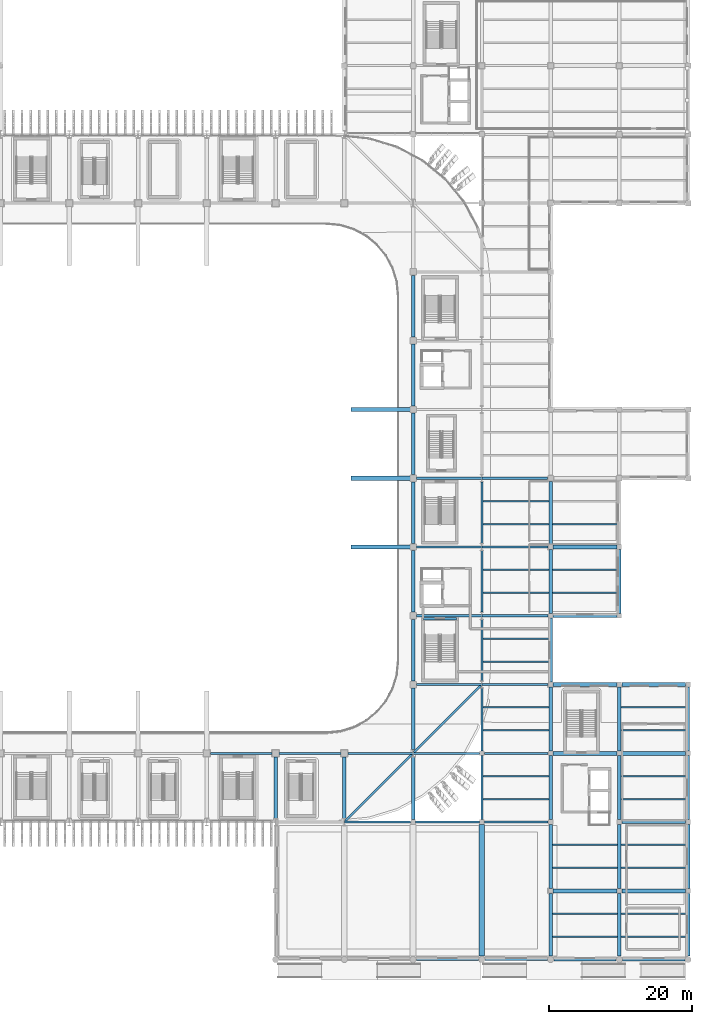
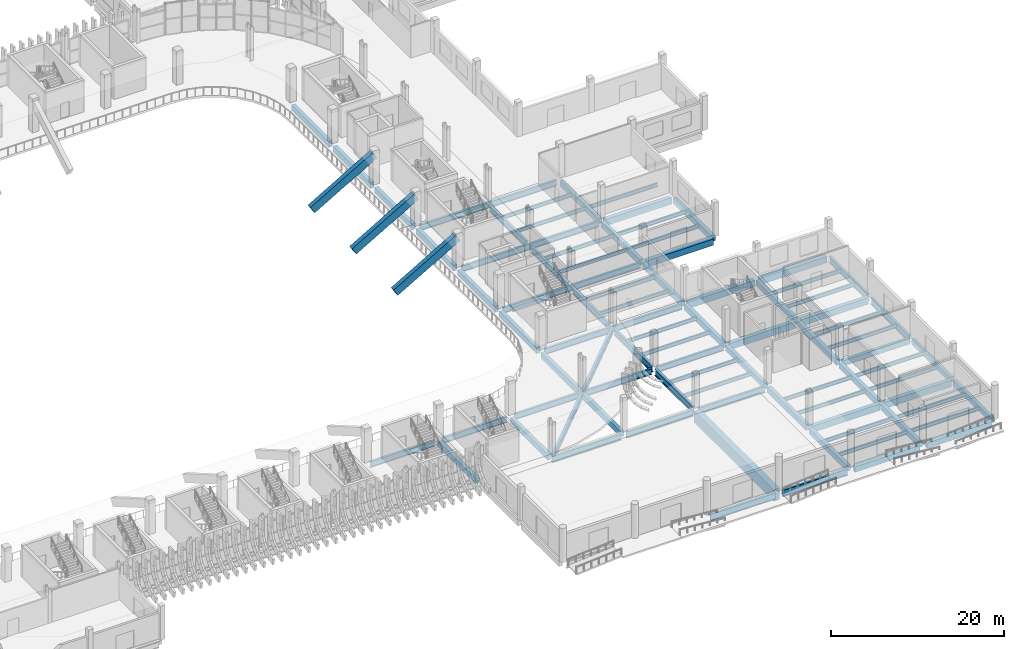
# One storey, part 32 of 100: 92 beams.
"""IFC4 building model written with IfcOpenShell, lengths in metres."""

from ifc_helpers import new_model, si_unit, direction, frame, origin, origin_2d, place, context, subcontext, project, spatial, rectangle, i_section, extrude, material, material_profile, profile_set, type_object, element, save


model = new_model("IFC4")

# Units and contexts
model_context = context("Model", 3, precision=1e-05, world=origin(), true_north=direction((0.0, 1.0)))
body_context = subcontext(model_context, "Body", "Model", "MODEL_VIEW")
ifc_project = project(units=[si_unit("LENGTHUNIT", "METRE"), si_unit("AREAUNIT", "SQUARE_METRE"), si_unit("VOLUMEUNIT", "CUBIC_METRE"), si_unit("PLANEANGLEUNIT", "RADIAN"), si_unit("MASSUNIT", "GRAM", prefix="KILO")], contexts=[model_context])

# Site, building, storey
site_placement = place(None, origin())
site = spatial("IfcSite", under=ifc_project, at=site_placement, CompositionType="ELEMENT")
building_placement = place(site_placement, origin())
building = spatial("IfcBuilding", under=site, at=building_placement, Name="Caelomonte Colonnade Arena", CompositionType="ELEMENT")
storey_placement = place(building_placement, origin())
storey = spatial("IfcBuildingStorey", under=building, at=storey_placement, Name="L00", CompositionType="ELEMENT", Elevation=0.0)

# Beams
ifc_material_1 = material(Name="Wide-flange steel ASTM A992 Grade 50", Category="steel")
ifc_material_profile_1 = material_profile(ifc_material_1, i_section(OverallWidth=0.307861328125, OverallDepth=0.927001953125, WebThickness=0.019287109375, FlangeThickness=0.031982421875, FilletRadius=0.020263671875, at=origin_2d()), Name="W36X194")
ifc_profile_set_1 = profile_set([ifc_material_profile_1], Name="Wide-flange steel ASTM A992 Grade 50")
beam_type_1 = type_object("IfcBeamType", Name="STR-BM-EAVES2", PredefinedType="SPANDREL", material=ifc_profile_set_1)
for number, where, z_axis, x_axis, name in (
    (1, (154.06689453125, 0.0, -0.763427734375), (1.0, 0.0, 0.0), (0.0, 1.0, 0.0), "L00 girder BMX-L00-1536-0000"),
    (2, (163.6669921875, 0.0, -0.763427734375), (1.0, 0.0, 0.0), (0.0, 1.0, 0.0), "L00 girder BMX-L00-1632-0000"),
):
    element("IfcBeam", number, at=place(storey_placement, frame(where, z_axis=z_axis, x_axis=x_axis)), inside=storey, type_object=beam_type_1, Name=name, PredefinedType="SPANDREL", context=body_context, shape_type="SweptSolid", body=[
        extrude(i_section(OverallWidth=0.307861328125, OverallDepth=0.927001953125, WebThickness=0.019287109375, FlangeThickness=0.031982421875, FilletRadius=0.020263671875, at=origin_2d()), origin(), (0.0, 0.0, 1.0), 8.666015625),
    ])
beam_1_placement = place(storey_placement, frame((144.015380859375, 19.199951171875, -0.763427734375), z_axis=(1.0, 0.0, 0.0), x_axis=(0.0, 1.0, 0.0)))
element("IfcBeam", 3, at=beam_1_placement, inside=storey, type_object=beam_type_1, Name="L00 girder BMX-L00-1440-0192", PredefinedType="SPANDREL", context=body_context, shape_type="SweptSolid", body=[
    extrude(i_section(OverallWidth=0.307861328125, OverallDepth=0.927001953125, WebThickness=0.019287109375, FlangeThickness=0.031982421875, FilletRadius=0.020263671875, at=origin_2d()), origin(), (0.0, 0.0, 1.0), 9.24267578125),
])
for number, where, z_axis, x_axis, name in (
    (4, (153.94189453125, 19.199951171875, -0.763427734375), (1.0, 0.0, 0.0), (0.0, 1.0, 0.0), "L00 girder BMX-L00-1536-0192"),
    (5, (163.5419921875, 19.199951171875, -0.763427734375), (1.0, 0.0, 0.0), (0.0, 1.0, 0.0), "L00 girder BMX-L00-1632-0192"),
    (6, (163.199951171875, 19.5419921875, -0.763427734375), (0.0, 1.0, 0.0), (-1.0, 0.0, 0.0), "L00 girder BMY-L00-1632-0192"),
):
    element("IfcBeam", number, at=place(storey_placement, frame(where, z_axis=z_axis, x_axis=x_axis)), inside=storey, type_object=beam_type_1, Name=name, PredefinedType="SPANDREL", context=body_context, shape_type="SweptSolid", body=[
        extrude(i_section(OverallWidth=0.307861328125, OverallDepth=0.927001953125, WebThickness=0.019287109375, FlangeThickness=0.031982421875, FilletRadius=0.020263671875, at=origin_2d()), origin(), (0.0, 0.0, 1.0), 8.916015625),
    ])
beam_2_placement = place(storey_placement, frame((163.199951171875, 29.14208984375, -0.763427734375), z_axis=(0.0, 1.0, 0.0), x_axis=(-1.0, 0.0, 0.0)))
element("IfcBeam", 7, at=beam_2_placement, inside=storey, type_object=beam_type_1, Name="L00 girder BMY-L00-1632-0288", PredefinedType="SPANDREL", context=body_context, shape_type="SweptSolid", body=[
    extrude(i_section(OverallWidth=0.307861328125, OverallDepth=0.927001953125, WebThickness=0.019287109375, FlangeThickness=0.031982421875, FilletRadius=0.020263671875, at=origin_2d()), origin(), (0.0, 0.0, 1.0), 8.7451171875),
])
for number, where, z_axis, x_axis, name in (
    (8, (163.199951171875, 38.91259765625, -0.763427734375), (0.0, 1.0, 0.0), (-1.0, 0.0, 0.0), "L00 girder BMY-L00-1632-0384"),
    (9, (163.199951171875, 48.5126953125, -0.763427734375), (0.0, 1.0, 0.0), (-1.0, 0.0, 0.0), "L00 girder BMY-L00-1632-0480"),
):
    element("IfcBeam", number, at=place(storey_placement, frame(where, z_axis=z_axis, x_axis=x_axis)), inside=storey, type_object=beam_type_1, Name=name, PredefinedType="SPANDREL", context=body_context, shape_type="SweptSolid", body=[
        extrude(i_section(OverallWidth=0.307861328125, OverallDepth=0.927001953125, WebThickness=0.019287109375, FlangeThickness=0.031982421875, FilletRadius=0.020263671875, at=origin_2d()), origin(), (0.0, 0.0, 1.0), 8.57470703125),
    ])
beam_3_placement = place(storey_placement, frame((163.199951171875, 58.11279296875, -0.763427734375), z_axis=(0.0, 1.0, 0.0), x_axis=(-1.0, 0.0, 0.0)))
element("IfcBeam", 10, at=beam_3_placement, inside=storey, type_object=beam_type_1, Name="L00 girder BMY-L00-1632-0576", PredefinedType="SPANDREL", context=body_context, shape_type="SweptSolid", body=[
    extrude(i_section(OverallWidth=0.307861328125, OverallDepth=0.927001953125, WebThickness=0.019287109375, FlangeThickness=0.031982421875, FilletRadius=0.020263671875, at=origin_2d()), origin(), (0.0, 0.0, 1.0), 8.574462890625),
])
for number, where, z_axis, x_axis, name in (
    (11, (192.0, 19.5419921875, -0.763427734375), (0.0, 1.0, 0.0), (-1.0, 0.0, 0.0), "L00 girder BMY-L00-1920-0192"),
    (12, (192.0, 29.14208984375, -0.763427734375), (0.0, 1.0, 0.0), (-1.0, 0.0, 0.0), "L00 girder BMY-L00-1920-0288"),
):
    element("IfcBeam", number, at=place(storey_placement, frame(where, z_axis=z_axis, x_axis=x_axis)), inside=storey, type_object=beam_type_1, Name=name, PredefinedType="SPANDREL", context=body_context, shape_type="SweptSolid", body=[
        extrude(i_section(OverallWidth=0.307861328125, OverallDepth=0.927001953125, WebThickness=0.019287109375, FlangeThickness=0.031982421875, FilletRadius=0.020263671875, at=origin_2d()), origin(), (0.0, 0.0, 1.0), 8.916015625),
    ])
beam_4_placement = place(storey_placement, frame((144.145263671875, 19.34521484375, -0.763427734375), z_axis=(0.707097509175, 0.707116053077, 0.0), x_axis=(-0.707116053077, 0.707097509175, 0.0)))
element("IfcBeam", 13, at=beam_4_placement, inside=storey, type_object=beam_type_1, Name="L00 drum corner ring girder 3", PredefinedType="SPANDREL", context=body_context, shape_type="SweptSolid", body=[
    extrude(i_section(OverallWidth=0.307861328125, OverallDepth=0.927001953125, WebThickness=0.019287109375, FlangeThickness=0.031982421875, FilletRadius=0.020263671875, at=origin_2d()), origin(), (0.0, 0.0, 1.0), 13.16552734375),
])
beam_5_placement = place(storey_placement, frame((153.745361328125, 28.9453125, -0.763427734375), z_axis=(0.707106781187, 0.707106781187, 0.0), x_axis=(-0.707106781187, 0.707106781187, 0.0)))
element("IfcBeam", 14, at=beam_5_placement, inside=storey, type_object=beam_type_1, Name="L00 drum corner ring girder 4", PredefinedType="SPANDREL", context=body_context, shape_type="SweptSolid", body=[
    extrude(i_section(OverallWidth=0.307861328125, OverallDepth=0.927001953125, WebThickness=0.019287109375, FlangeThickness=0.031982421875, FilletRadius=0.020263671875, at=origin_2d()), origin(), (0.0, 0.0, 1.0), 13.165283203125),
])
ifc_material_profile_2 = material_profile(ifc_material_1, i_section(OverallWidth=0.2919921875, OverallDepth=0.845703125, WebThickness=0.015380859375, FlangeThickness=0.0244140625, FilletRadius=0.017822265625, at=origin_2d()), Name="W33X141")
ifc_profile_set_2 = profile_set([ifc_material_profile_2], Name="Wide-flange steel ASTM A992 Grade 50")
beam_type_2 = type_object("IfcBeamType", Name="STR-BM-GIRD33", PredefinedType="BEAM", material=ifc_profile_set_2)
for number, where, z_axis, x_axis, name in (
    (15, (125.2919921875, 28.800048828125, -0.722900390625), (1.0, 0.0, 0.0), (0.0, 1.0, 0.0), "L00 girder BMX-L00-1248-0288"),
    (16, (134.89208984375, 28.800048828125, -0.722900390625), (1.0, 0.0, 0.0), (0.0, 1.0, 0.0), "L00 girder BMX-L00-1344-0288"),
):
    element("IfcBeam", number, at=place(storey_placement, frame(where, z_axis=z_axis, x_axis=x_axis)), inside=storey, type_object=beam_type_2, Name=name, PredefinedType="BEAM", context=body_context, shape_type="SweptSolid", body=[
        extrude(i_section(OverallWidth=0.2919921875, OverallDepth=0.845703125, WebThickness=0.015380859375, FlangeThickness=0.0244140625, FilletRadius=0.017822265625, at=origin_2d()), origin(), (0.0, 0.0, 1.0), 8.615966796875),
    ])
beam_6_placement = place(storey_placement, frame((144.491943359375, 28.800048828125, -0.722900390625), z_axis=(1.0, 0.0, 0.0), x_axis=(0.0, 1.0, 0.0)))
element("IfcBeam", 17, at=beam_6_placement, inside=storey, type_object=beam_type_2, Name="L00 girder BMX-L00-1440-0288", PredefinedType="BEAM", context=body_context, shape_type="SweptSolid", body=[
    extrude(i_section(OverallWidth=0.2919921875, OverallDepth=0.845703125, WebThickness=0.015380859375, FlangeThickness=0.0244140625, FilletRadius=0.017822265625, at=origin_2d()), origin(), (0.0, 0.0, 1.0), 9.092529296875),
])
beam_7_placement = place(storey_placement, frame((153.615478515625, 28.800048828125, -0.722900390625), z_axis=(1.0, 0.0, 0.0), x_axis=(0.0, 1.0, 0.0)))
element("IfcBeam", 18, at=beam_7_placement, inside=storey, type_object=beam_type_2, Name="L00 girder BMX-L00-1536-0288", PredefinedType="BEAM", context=body_context, shape_type="SweptSolid", body=[
    extrude(i_section(OverallWidth=0.2919921875, OverallDepth=0.845703125, WebThickness=0.015380859375, FlangeThickness=0.0244140625, FilletRadius=0.017822265625, at=origin_2d()), origin(), (0.0, 0.0, 1.0), 9.242431640625),
])
beam_8_placement = place(storey_placement, frame((163.5419921875, 28.800048828125, -0.722900390625), z_axis=(1.0, 0.0, 0.0), x_axis=(0.0, 1.0, 0.0)))
element("IfcBeam", 19, at=beam_8_placement, inside=storey, type_object=beam_type_2, Name="L00 girder BMX-L00-1632-0288", PredefinedType="BEAM", context=body_context, shape_type="SweptSolid", body=[
    extrude(i_section(OverallWidth=0.2919921875, OverallDepth=0.845703125, WebThickness=0.015380859375, FlangeThickness=0.0244140625, FilletRadius=0.017822265625, at=origin_2d()), origin(), (0.0, 0.0, 1.0), 8.916015625),
])
beam_9_placement = place(storey_placement, frame((154.092041015625, 38.39990234375, -0.722900390625), z_axis=(1.0, 0.0, 0.0), x_axis=(0.0, 1.0, 0.0)))
element("IfcBeam", 20, at=beam_9_placement, inside=storey, type_object=beam_type_2, Name="L00 girder BMX-L00-1536-0384", PredefinedType="BEAM", context=body_context, shape_type="SweptSolid", body=[
    extrude(i_section(OverallWidth=0.2919921875, OverallDepth=0.845703125, WebThickness=0.015380859375, FlangeThickness=0.0244140625, FilletRadius=0.017822265625, at=origin_2d()), origin(), (0.0, 0.0, 1.0), 9.092529296875),
])
beam_10_placement = place(storey_placement, frame((163.215576171875, 38.39990234375, -0.722900390625), z_axis=(1.0, 0.0, 0.0), x_axis=(0.0, 1.0, 0.0)))
element("IfcBeam", 21, at=beam_10_placement, inside=storey, type_object=beam_type_2, Name="L00 girder BMX-L00-1632-0384", PredefinedType="BEAM", context=body_context, shape_type="SweptSolid", body=[
    extrude(i_section(OverallWidth=0.2919921875, OverallDepth=0.845703125, WebThickness=0.015380859375, FlangeThickness=0.0244140625, FilletRadius=0.017822265625, at=origin_2d()), origin(), (0.0, 0.0, 1.0), 9.242431640625),
])
beam_11_placement = place(storey_placement, frame((154.092041015625, 48.0, -0.722900390625), z_axis=(1.0, 0.0, 0.0), x_axis=(0.0, 1.0, 0.0)))
element("IfcBeam", 22, at=beam_11_placement, inside=storey, type_object=beam_type_2, Name="L00 girder BMX-L00-1536-0480", PredefinedType="BEAM", context=body_context, shape_type="SweptSolid", body=[
    extrude(i_section(OverallWidth=0.2919921875, OverallDepth=0.845703125, WebThickness=0.015380859375, FlangeThickness=0.0244140625, FilletRadius=0.017822265625, at=origin_2d()), origin(), (0.0, 0.0, 1.0), 9.092529296875),
])
beam_12_placement = place(storey_placement, frame((163.215576171875, 48.0, -0.722900390625), z_axis=(1.0, 0.0, 0.0), x_axis=(0.0, 1.0, 0.0)))
element("IfcBeam", 23, at=beam_12_placement, inside=storey, type_object=beam_type_2, Name="L00 girder BMX-L00-1632-0480", PredefinedType="BEAM", context=body_context, shape_type="SweptSolid", body=[
    extrude(i_section(OverallWidth=0.2919921875, OverallDepth=0.845703125, WebThickness=0.015380859375, FlangeThickness=0.0244140625, FilletRadius=0.017822265625, at=origin_2d()), origin(), (0.0, 0.0, 1.0), 9.242431640625),
])
beam_13_placement = place(storey_placement, frame((154.092041015625, 57.60009765625, -0.722900390625), z_axis=(1.0, 0.0, 0.0), x_axis=(0.0, 1.0, 0.0)))
element("IfcBeam", 24, at=beam_13_placement, inside=storey, type_object=beam_type_2, Name="L00 girder BMX-L00-1536-0576", PredefinedType="BEAM", context=body_context, shape_type="SweptSolid", body=[
    extrude(i_section(OverallWidth=0.2919921875, OverallDepth=0.845703125, WebThickness=0.015380859375, FlangeThickness=0.0244140625, FilletRadius=0.017822265625, at=origin_2d()), origin(), (0.0, 0.0, 1.0), 9.092529296875),
])
beam_14_placement = place(storey_placement, frame((163.215576171875, 57.60009765625, -0.722900390625), z_axis=(1.0, 0.0, 0.0), x_axis=(0.0, 1.0, 0.0)))
element("IfcBeam", 25, at=beam_14_placement, inside=storey, type_object=beam_type_2, Name="L00 girder BMX-L00-1632-0576", PredefinedType="BEAM", context=body_context, shape_type="SweptSolid", body=[
    extrude(i_section(OverallWidth=0.2919921875, OverallDepth=0.845703125, WebThickness=0.015380859375, FlangeThickness=0.0244140625, FilletRadius=0.017822265625, at=origin_2d()), origin(), (0.0, 0.0, 1.0), 9.242431640625),
])
beam_15_placement = place(storey_placement, frame((154.092041015625, 67.199951171875, -0.722900390625), z_axis=(1.0, 0.0, 0.0), x_axis=(0.0, 1.0, 0.0)))
element("IfcBeam", 26, at=beam_15_placement, inside=storey, type_object=beam_type_2, Name="L00 girder BMX-L00-1536-0672", PredefinedType="BEAM", context=body_context, shape_type="SweptSolid", body=[
    extrude(i_section(OverallWidth=0.2919921875, OverallDepth=0.845703125, WebThickness=0.015380859375, FlangeThickness=0.0244140625, FilletRadius=0.017822265625, at=origin_2d()), origin(), (0.0, 0.0, 1.0), 9.092529296875),
])
beam_16_placement = place(storey_placement, frame((163.215576171875, 67.199951171875, -0.722900390625), z_axis=(1.0, 0.0, 0.0), x_axis=(0.0, 1.0, 0.0)))
element("IfcBeam", 27, at=beam_16_placement, inside=storey, type_object=beam_type_2, Name="L00 girder BMX-L00-1632-0672", PredefinedType="BEAM", context=body_context, shape_type="SweptSolid", body=[
    extrude(i_section(OverallWidth=0.2919921875, OverallDepth=0.845703125, WebThickness=0.015380859375, FlangeThickness=0.0244140625, FilletRadius=0.017822265625, at=origin_2d()), origin(), (0.0, 0.0, 1.0), 9.142333984375),
])
ifc_material_profile_3 = material_profile(ifc_material_1, i_section(OverallWidth=0.209228515625, OverallDepth=0.533447265625, WebThickness=0.01025390625, FlangeThickness=0.015625, FilletRadius=0.0126953125, at=origin_2d()), Name="W21X62")
ifc_profile_set_3 = profile_set([ifc_material_profile_3], Name="Wide-flange steel ASTM A992 Grade 50")
beam_type_3 = type_object("IfcBeamType", Name="STR-BM-JOIST21", PredefinedType="JOIST", material=ifc_profile_set_3)
for number, where, z_axis, x_axis, name in (
    (28, (163.348876953125, 22.39990234375, -0.566650390625), (1.0, 0.0, 0.0), (0.0, 1.0, 0.0), "L00 secondary joist 1"),
    (29, (163.348876953125, 25.60009765625, -0.566650390625), (1.0, 0.0, 0.0), (0.0, 1.0, 0.0), "L00 secondary joist 2"),
    (30, (163.348876953125, 32.0, -0.566650390625), (1.0, 0.0, 0.0), (0.0, 1.0, 0.0), "L00 secondary joist 1"),
    (31, (163.348876953125, 35.199951171875, -0.566650390625), (1.0, 0.0, 0.0), (0.0, 1.0, 0.0), "L00 secondary joist 2"),
    (32, (163.348876953125, 41.60009765625, -0.566650390625), (1.0, 0.0, 0.0), (0.0, 1.0, 0.0), "L00 secondary joist 1"),
    (33, (163.348876953125, 44.800048828125, -0.566650390625), (1.0, 0.0, 0.0), (0.0, 1.0, 0.0), "L00 secondary joist 2"),
    (34, (163.348876953125, 51.199951171875, -0.566650390625), (1.0, 0.0, 0.0), (0.0, 1.0, 0.0), "L00 secondary joist 1"),
    (35, (163.348876953125, 54.39990234375, -0.566650390625), (1.0, 0.0, 0.0), (0.0, 1.0, 0.0), "L00 secondary joist 2"),
    (36, (163.348876953125, 60.800048828125, -0.566650390625), (1.0, 0.0, 0.0), (0.0, 1.0, 0.0), "L00 secondary joist 1"),
    (37, (163.348876953125, 64.0, -0.566650390625), (1.0, 0.0, 0.0), (0.0, 1.0, 0.0), "L00 secondary joist 2"),
):
    element("IfcBeam", number, at=place(storey_placement, frame(where, z_axis=z_axis, x_axis=x_axis)), inside=storey, type_object=beam_type_3, Name=name, PredefinedType="JOIST", context=body_context, shape_type="SweptSolid", body=[
        extrude(i_section(OverallWidth=0.209228515625, OverallDepth=0.533447265625, WebThickness=0.01025390625, FlangeThickness=0.015625, FilletRadius=0.0126953125, at=origin_2d()), origin(), (0.0, 0.0, 1.0), 9.2060546875),
    ])
for number, where, z_axis, x_axis, name in (
    (38, (173.044921875, 3.199951171875, -0.566650390625), (1.0, 0.0, 0.0), (0.0, 1.0, 0.0), "L00 secondary joist 1"),
    (39, (173.044921875, 6.39990234375, -0.566650390625), (1.0, 0.0, 0.0), (0.0, 1.0, 0.0), "L00 secondary joist 2"),
    (40, (173.044921875, 12.800048828125, -0.566650390625), (1.0, 0.0, 0.0), (0.0, 1.0, 0.0), "L00 secondary joist 1"),
    (41, (173.044921875, 16.0, -0.566650390625), (1.0, 0.0, 0.0), (0.0, 1.0, 0.0), "L00 secondary joist 2"),
    (42, (173.044921875, 51.199951171875, -0.566650390625), (1.0, 0.0, 0.0), (0.0, 1.0, 0.0), "L00 secondary joist 1"),
    (43, (173.044921875, 54.39990234375, -0.566650390625), (1.0, 0.0, 0.0), (0.0, 1.0, 0.0), "L00 secondary joist 2"),
    (44, (173.044921875, 60.800048828125, -0.566650390625), (1.0, 0.0, 0.0), (0.0, 1.0, 0.0), "L00 secondary joist 1"),
):
    element("IfcBeam", number, at=place(storey_placement, frame(where, z_axis=z_axis, x_axis=x_axis)), inside=storey, type_object=beam_type_3, Name=name, PredefinedType="JOIST", context=body_context, shape_type="SweptSolid", body=[
        extrude(i_section(OverallWidth=0.209228515625, OverallDepth=0.533447265625, WebThickness=0.01025390625, FlangeThickness=0.015625, FilletRadius=0.0126953125, at=origin_2d()), origin(), (0.0, 0.0, 1.0), 9.110107421875),
    ])
for number, where, z_axis, x_axis, name in (
    (45, (182.64501953125, 3.199951171875, -0.566650390625), (1.0, 0.0, 0.0), (0.0, 1.0, 0.0), "L00 secondary joist 1"),
    (46, (182.64501953125, 6.39990234375, -0.566650390625), (1.0, 0.0, 0.0), (0.0, 1.0, 0.0), "L00 secondary joist 2"),
    (47, (182.64501953125, 12.800048828125, -0.566650390625), (1.0, 0.0, 0.0), (0.0, 1.0, 0.0), "L00 secondary joist 1"),
    (48, (182.64501953125, 16.0, -0.566650390625), (1.0, 0.0, 0.0), (0.0, 1.0, 0.0), "L00 secondary joist 2"),
):
    element("IfcBeam", number, at=place(storey_placement, frame(where, z_axis=z_axis, x_axis=x_axis)), inside=storey, type_object=beam_type_3, Name=name, PredefinedType="JOIST", context=body_context, shape_type="SweptSolid", body=[
        extrude(i_section(OverallWidth=0.209228515625, OverallDepth=0.533447265625, WebThickness=0.01025390625, FlangeThickness=0.015625, FilletRadius=0.0126953125, at=origin_2d()), origin(), (0.0, 0.0, 1.0), 9.135009765625),
    ])
for number, where, z_axis, x_axis, name in (
    (49, (182.64501953125, 22.39990234375, -0.566650390625), (1.0, 0.0, 0.0), (0.0, 1.0, 0.0), "L00 secondary joist 1"),
    (50, (182.64501953125, 25.60009765625, -0.566650390625), (1.0, 0.0, 0.0), (0.0, 1.0, 0.0), "L00 secondary joist 2"),
    (51, (182.64501953125, 32.0, -0.566650390625), (1.0, 0.0, 0.0), (0.0, 1.0, 0.0), "L00 secondary joist 1"),
    (52, (182.64501953125, 35.199951171875, -0.566650390625), (1.0, 0.0, 0.0), (0.0, 1.0, 0.0), "L00 secondary joist 2"),
):
    element("IfcBeam", number, at=place(storey_placement, frame(where, z_axis=z_axis, x_axis=x_axis)), inside=storey, type_object=beam_type_3, Name=name, PredefinedType="JOIST", context=body_context, shape_type="SweptSolid", body=[
        extrude(i_section(OverallWidth=0.209228515625, OverallDepth=0.533447265625, WebThickness=0.01025390625, FlangeThickness=0.015625, FilletRadius=0.0126953125, at=origin_2d()), origin(), (0.0, 0.0, 1.0), 9.2060546875),
    ])
ifc_material_2 = material(Name="Concrete C40/50", Category="concrete")
ifc_material_profile_4 = material_profile(ifc_material_2, rectangle(XDim=0.39990234375, YDim=0.64990234375, at=origin_2d()), Name="RC400X650")
ifc_profile_set_4 = profile_set([ifc_material_profile_4], Name="Concrete C40/50")
beam_type_4 = type_object("IfcBeamType", Name="STR-BM-LINT40", PredefinedType="LINTEL", material=ifc_profile_set_4)
beam_17_placement = place(storey_placement, frame((155.074951171875, 47.574951171875, -0.625), z_axis=(1.0, 0.0, 0.0), x_axis=(0.0, 1.0, 0.0)))
element("IfcBeam", 53, at=beam_17_placement, inside=storey, type_object=beam_type_4, Name="Core C2 L00 coupling lintel beam", PredefinedType="LINTEL", context=body_context, shape_type="SweptSolid", body=[
    extrude(rectangle(XDim=0.39990234375, YDim=0.64990234375, at=origin_2d()), origin(), (0.0, 0.0, 1.0), 4.550048828125),
])
ifc_material_profile_5 = material_profile(ifc_material_2, rectangle(XDim=0.5, YDim=0.800048828125, at=origin_2d()), Name="RC500X800")
ifc_profile_set_5 = profile_set([ifc_material_profile_5], Name="Concrete C40/50")
beam_type_5 = type_object("IfcBeamType", Name="STR-BM-RC50", PredefinedType="BEAM", material=ifc_profile_set_5)
for number, where, z_axis, x_axis, name in (
    (54, (134.39990234375, 19.712646484375, -0.699951171875), (0.0, 1.0, 0.0), (-1.0, 0.0, 0.0), "L00 girder BMY-L00-1344-0192"),
    (55, (144.0, 19.712646484375, -0.699951171875), (0.0, 1.0, 0.0), (-1.0, 0.0, 0.0), "L00 girder BMY-L00-1440-0192"),
):
    element("IfcBeam", number, at=place(storey_placement, frame(where, z_axis=z_axis, x_axis=x_axis)), inside=storey, type_object=beam_type_5, Name=name, PredefinedType="BEAM", context=body_context, shape_type="SweptSolid", body=[
        extrude(rectangle(XDim=0.5, YDim=0.800048828125, at=origin_2d()), origin(), (0.0, 0.0, 1.0), 8.595458984375),
    ])
beam_18_placement = place(storey_placement, frame((153.60009765625, 19.5419921875, -0.699951171875), z_axis=(0.0, 1.0, 0.0), x_axis=(-1.0, 0.0, 0.0)))
element("IfcBeam", 56, at=beam_18_placement, inside=storey, type_object=beam_type_5, Name="L00 girder BMY-L00-1536-0192", PredefinedType="BEAM", context=body_context, shape_type="SweptSolid", body=[
    extrude(rectangle(XDim=0.5, YDim=0.800048828125, at=origin_2d()), origin(), (0.0, 0.0, 1.0), 8.745361328125),
])
beam_19_placement = place(storey_placement, frame((153.60009765625, 29.312744140625, -0.699951171875), z_axis=(0.0, 1.0, 0.0), x_axis=(-1.0, 0.0, 0.0)))
element("IfcBeam", 57, at=beam_19_placement, inside=storey, type_object=beam_type_5, Name="L00 girder BMY-L00-1536-0288", PredefinedType="BEAM", context=body_context, shape_type="SweptSolid", body=[
    extrude(rectangle(XDim=0.5, YDim=0.800048828125, at=origin_2d()), origin(), (0.0, 0.0, 1.0), 8.59521484375),
])
for number, where, z_axis, x_axis, name in (
    (58, (153.60009765625, 38.89208984375, -0.699951171875), (0.0, 1.0, 0.0), (-1.0, 0.0, 0.0), "L00 girder BMY-L00-1536-0384"),
    (59, (153.60009765625, 48.491943359375, -0.699951171875), (0.0, 1.0, 0.0), (-1.0, 0.0, 0.0), "L00 girder BMY-L00-1536-0480"),
    (60, (153.60009765625, 58.092041015625, -0.699951171875), (0.0, 1.0, 0.0), (-1.0, 0.0, 0.0), "L00 girder BMY-L00-1536-0576"),
):
    element("IfcBeam", number, at=place(storey_placement, frame(where, z_axis=z_axis, x_axis=x_axis)), inside=storey, type_object=beam_type_5, Name=name, PredefinedType="BEAM", context=body_context, shape_type="SweptSolid", body=[
        extrude(rectangle(XDim=0.5, YDim=0.800048828125, at=origin_2d()), origin(), (0.0, 0.0, 1.0), 8.615966796875),
    ])
beam_20_placement = place(storey_placement, frame((153.60009765625, 67.69189453125, -0.699951171875), z_axis=(0.0, 1.0, 0.0), x_axis=(-1.0, 0.0, 0.0)))
element("IfcBeam", 61, at=beam_20_placement, inside=storey, type_object=beam_type_5, Name="L00 girder BMY-L00-1536-0672", PredefinedType="BEAM", context=body_context, shape_type="SweptSolid", body=[
    extrude(rectangle(XDim=0.5, YDim=0.800048828125, at=origin_2d()), origin(), (0.0, 0.0, 1.0), 8.6162109375),
])
for number, where, z_axis, x_axis, name in (
    (62, (153.60009765625, 77.2919921875, -0.699951171875), (0.0, 1.0, 0.0), (-1.0, 0.0, 0.0), "L00 girder BMY-L00-1536-0768"),
    (63, (153.60009765625, 86.89208984375, -0.699951171875), (0.0, 1.0, 0.0), (-1.0, 0.0, 0.0), "L00 girder BMY-L00-1536-0864"),
):
    element("IfcBeam", number, at=place(storey_placement, frame(where, z_axis=z_axis, x_axis=x_axis)), inside=storey, type_object=beam_type_5, Name=name, PredefinedType="BEAM", context=body_context, shape_type="SweptSolid", body=[
        extrude(rectangle(XDim=0.5, YDim=0.800048828125, at=origin_2d()), origin(), (0.0, 0.0, 1.0), 8.615966796875),
    ])
beam_21_placement = place(storey_placement, frame((172.800048828125, 0.467041015625, -0.699951171875), z_axis=(0.0, 1.0, 0.0), x_axis=(-1.0, 0.0, 0.0)))
element("IfcBeam", 64, at=beam_21_placement, inside=storey, type_object=beam_type_5, Name="L00 girder BMY-L00-1728-0000", PredefinedType="BEAM", context=body_context, shape_type="SweptSolid", body=[
    extrude(rectangle(XDim=0.5, YDim=0.800048828125, at=origin_2d()), origin(), (0.0, 0.0, 1.0), 8.791015625),
])
for number, where, z_axis, x_axis, name in (
    (65, (172.800048828125, 9.94189453125, -0.699951171875), (0.0, 1.0, 0.0), (-1.0, 0.0, 0.0), "L00 girder BMY-L00-1728-0096"),
    (66, (172.800048828125, 19.5419921875, -0.699951171875), (0.0, 1.0, 0.0), (-1.0, 0.0, 0.0), "L00 girder BMY-L00-1728-0192"),
    (67, (172.800048828125, 29.14208984375, -0.699951171875), (0.0, 1.0, 0.0), (-1.0, 0.0, 0.0), "L00 girder BMY-L00-1728-0288"),
    (68, (172.800048828125, 38.741943359375, -0.699951171875), (0.0, 1.0, 0.0), (-1.0, 0.0, 0.0), "L00 girder BMY-L00-1728-0384"),
    (69, (172.800048828125, 48.342041015625, -0.699951171875), (0.0, 1.0, 0.0), (-1.0, 0.0, 0.0), "L00 girder BMY-L00-1728-0480"),
):
    element("IfcBeam", number, at=place(storey_placement, frame(where, z_axis=z_axis, x_axis=x_axis)), inside=storey, type_object=beam_type_5, Name=name, PredefinedType="BEAM", context=body_context, shape_type="SweptSolid", body=[
        extrude(rectangle(XDim=0.5, YDim=0.800048828125, at=origin_2d()), origin(), (0.0, 0.0, 1.0), 8.916015625),
    ])
beam_22_placement = place(storey_placement, frame((172.800048828125, 57.94189453125, -0.699951171875), z_axis=(0.0, 1.0, 0.0), x_axis=(-1.0, 0.0, 0.0)))
element("IfcBeam", 70, at=beam_22_placement, inside=storey, type_object=beam_type_5, Name="L00 girder BMY-L00-1728-0576", PredefinedType="BEAM", context=body_context, shape_type="SweptSolid", body=[
    extrude(rectangle(XDim=0.5, YDim=0.800048828125, at=origin_2d()), origin(), (0.0, 0.0, 1.0), 8.816162109375),
])
beam_23_placement = place(storey_placement, frame((182.39990234375, 0.467041015625, -0.699951171875), z_axis=(0.0, 1.0, 0.0), x_axis=(-1.0, 0.0, 0.0)))
element("IfcBeam", 71, at=beam_23_placement, inside=storey, type_object=beam_type_5, Name="L00 girder BMY-L00-1824-0000", PredefinedType="BEAM", context=body_context, shape_type="SweptSolid", body=[
    extrude(rectangle(XDim=0.5, YDim=0.800048828125, at=origin_2d()), origin(), (0.0, 0.0, 1.0), 8.791015625),
])
for number, where, z_axis, x_axis, name in (
    (72, (182.39990234375, 9.94189453125, -0.699951171875), (0.0, 1.0, 0.0), (-1.0, 0.0, 0.0), "L00 girder BMY-L00-1824-0096"),
    (73, (182.39990234375, 19.5419921875, -0.699951171875), (0.0, 1.0, 0.0), (-1.0, 0.0, 0.0), "L00 girder BMY-L00-1824-0192"),
    (74, (182.39990234375, 29.14208984375, -0.699951171875), (0.0, 1.0, 0.0), (-1.0, 0.0, 0.0), "L00 girder BMY-L00-1824-0288"),
    (75, (182.39990234375, 48.342041015625, -0.699951171875), (0.0, 1.0, 0.0), (-1.0, 0.0, 0.0), "L00 girder BMY-L00-1824-0480"),
):
    element("IfcBeam", number, at=place(storey_placement, frame(where, z_axis=z_axis, x_axis=x_axis)), inside=storey, type_object=beam_type_5, Name=name, PredefinedType="BEAM", context=body_context, shape_type="SweptSolid", body=[
        extrude(rectangle(XDim=0.5, YDim=0.800048828125, at=origin_2d()), origin(), (0.0, 0.0, 1.0), 8.916015625),
    ])
ifc_material_profile_6 = material_profile(ifc_material_2, rectangle(XDim=0.550048828125, YDim=0.89990234375, at=origin_2d()), Name="RC550X900")
ifc_profile_set_6 = profile_set([ifc_material_profile_6], Name="Concrete C40/50")
beam_type_6 = type_object("IfcBeamType", Name="STR-BM-RC55", PredefinedType="BEAM", material=ifc_profile_set_6)
for number, where, z_axis, x_axis, name in (
    (76, (173.14208984375, 9.60009765625, -0.75), (1.0, 0.0, 0.0), (0.0, 1.0, 0.0), "L00 girder BMX-L00-1728-0096"),
    (77, (182.741943359375, 9.60009765625, -0.75), (1.0, 0.0, 0.0), (0.0, 1.0, 0.0), "L00 girder BMX-L00-1824-0096"),
    (78, (173.14208984375, 28.800048828125, -0.75), (1.0, 0.0, 0.0), (0.0, 1.0, 0.0), "L00 girder BMX-L00-1728-0288"),
    (79, (182.741943359375, 28.800048828125, -0.75), (1.0, 0.0, 0.0), (0.0, 1.0, 0.0), "L00 girder BMX-L00-1824-0288"),
    (80, (173.14208984375, 38.39990234375, -0.75), (1.0, 0.0, 0.0), (0.0, 1.0, 0.0), "L00 girder BMX-L00-1728-0384"),
    (81, (182.741943359375, 38.39990234375, -0.75), (1.0, 0.0, 0.0), (0.0, 1.0, 0.0), "L00 girder BMX-L00-1824-0384"),
    (82, (173.14208984375, 48.0, -0.75), (1.0, 0.0, 0.0), (0.0, 1.0, 0.0), "L00 girder BMX-L00-1728-0480"),
    (83, (173.14208984375, 57.60009765625, -0.75), (1.0, 0.0, 0.0), (0.0, 1.0, 0.0), "L00 girder BMX-L00-1728-0576"),
):
    element("IfcBeam", number, at=place(storey_placement, frame(where, z_axis=z_axis, x_axis=x_axis)), inside=storey, type_object=beam_type_6, Name=name, PredefinedType="BEAM", context=body_context, shape_type="SweptSolid", body=[
        extrude(rectangle(XDim=0.550048828125, YDim=0.89990234375, at=origin_2d()), origin(), (0.0, 0.0, 1.0), 8.916015625),
    ])
ifc_material_3 = material(Name="Concrete C50/60", Category="concrete")
ifc_material_profile_7 = material_profile(ifc_material_3, rectangle(XDim=0.60009765625, YDim=1.10009765625, at=origin_2d()), Name="RC600X1100")
ifc_profile_set_7 = profile_set([ifc_material_profile_7], Name="Concrete C50/60")
beam_type_7 = type_object("IfcBeamType", Name="STR-BM-RKL", PredefinedType="USERDEFINED", material=ifc_profile_set_7)
for number, where, z_axis, x_axis, name in (
    (84, (145.199951171875, 57.60009765625, -0.800048828125), (0.864714565042, 0.0, 0.502263597132), (0.0, 1.0, 0.0), "Lower bowl outer raker girder E-57"),
    (85, (145.199951171875, 67.199951171875, -0.800048828125), (0.864714565042, 0.0, 0.502263597132), (0.0, 1.0, 0.0), "Lower bowl outer raker girder E-67"),
    (86, (145.199951171875, 76.800048828125, -0.800048828125), (0.864714565042, 0.0, 0.502263597132), (0.0, 1.0, 0.0), "Lower bowl outer raker girder E-76"),
):
    element("IfcBeam", number, at=place(storey_placement, frame(where, z_axis=z_axis, x_axis=x_axis)), inside=storey, type_object=beam_type_7, Name=name, ObjectType="RAKER", PredefinedType="USERDEFINED", context=body_context, shape_type="SweptSolid", body=[
        extrude(rectangle(XDim=0.60009765625, YDim=1.10009765625, at=origin_2d()), origin(), (0.0, 0.0, 1.0), 9.656494140625),
    ])
ifc_material_profile_8 = material_profile(ifc_material_2, rectangle(XDim=0.449951171875, YDim=0.75, at=origin_2d()), Name="RC450X750")
ifc_profile_set_8 = profile_set([ifc_material_profile_8], Name="Concrete C40/50")
beam_type_8 = type_object("IfcBeamType", Name="STR-BM-SPAN24", PredefinedType="SPANDREL", material=ifc_profile_set_8)
for number, where, z_axis, x_axis, name in (
    (87, (173.26708984375, 0.0, -0.675048828125), (1.0, 0.0, 0.0), (0.0, 1.0, 0.0), "L00 girder BMX-L00-1728-0000"),
    (88, (182.866943359375, 0.0, -0.675048828125), (1.0, 0.0, 0.0), (0.0, 1.0, 0.0), "L00 girder BMX-L00-1824-0000"),
):
    element("IfcBeam", number, at=place(storey_placement, frame(where, z_axis=z_axis, x_axis=x_axis)), inside=storey, type_object=beam_type_8, Name=name, PredefinedType="SPANDREL", context=body_context, shape_type="SweptSolid", body=[
        extrude(rectangle(XDim=0.449951171875, YDim=0.75, at=origin_2d()), origin(), (0.0, 0.0, 1.0), 8.666015625),
    ])
beam_24_placement = place(storey_placement, frame((182.741943359375, 19.199951171875, -0.675048828125), z_axis=(1.0, 0.0, 0.0), x_axis=(0.0, 1.0, 0.0)))
element("IfcBeam", 89, at=beam_24_placement, inside=storey, type_object=beam_type_8, Name="L00 girder BMX-L00-1824-0192", PredefinedType="SPANDREL", context=body_context, shape_type="SweptSolid", body=[
    extrude(rectangle(XDim=0.449951171875, YDim=0.75, at=origin_2d()), origin(), (0.0, 0.0, 1.0), 8.916015625),
])
beam_25_placement = place(storey_placement, frame((192.0, 0.467041015625, -0.675048828125), z_axis=(0.0, 1.0, 0.0), x_axis=(-1.0, 0.0, 0.0)))
element("IfcBeam", 90, at=beam_25_placement, inside=storey, type_object=beam_type_8, Name="L00 girder BMY-L00-1920-0000", PredefinedType="SPANDREL", context=body_context, shape_type="SweptSolid", body=[
    extrude(rectangle(XDim=0.449951171875, YDim=0.75, at=origin_2d()), origin(), (0.0, 0.0, 1.0), 8.791015625),
])
beam_26_placement = place(storey_placement, frame((192.0, 9.94189453125, -0.675048828125), z_axis=(0.0, 1.0, 0.0), x_axis=(-1.0, 0.0, 0.0)))
element("IfcBeam", 91, at=beam_26_placement, inside=storey, type_object=beam_type_8, Name="L00 girder BMY-L00-1920-0096", PredefinedType="SPANDREL", context=body_context, shape_type="SweptSolid", body=[
    extrude(rectangle(XDim=0.449951171875, YDim=0.75, at=origin_2d()), origin(), (0.0, 0.0, 1.0), 8.916015625),
])
ifc_material_profile_9 = material_profile(ifc_material_3, rectangle(XDim=0.800048828125, YDim=1.60009765625, at=origin_2d()), Name="RC800X1600")
ifc_profile_set_9 = profile_set([ifc_material_profile_9], Name="Concrete C50/60")
beam_type_9 = type_object("IfcBeamType", Name="STR-BM-TG16", PredefinedType="USERDEFINED", material=ifc_profile_set_9)
beam_27_placement = place(storey_placement, frame((163.199951171875, 0.467041015625, -1.10009765625), z_axis=(0.0, 1.0, 0.0), x_axis=(-1.0, 0.0, 0.0)))
element("IfcBeam", 92, at=beam_27_placement, inside=storey, type_object=beam_type_9, Name="L00 Transfer Girder BMY-L00-1632-0000", ObjectType="TRANSFER GIRDER", PredefinedType="USERDEFINED", context=body_context, shape_type="SweptSolid", body=[
    extrude(rectangle(XDim=0.800048828125, YDim=1.60009765625, at=origin_2d()), origin(), (0.0, 0.0, 1.0), 18.390869140625),
])

save(model, "model.ifc")
